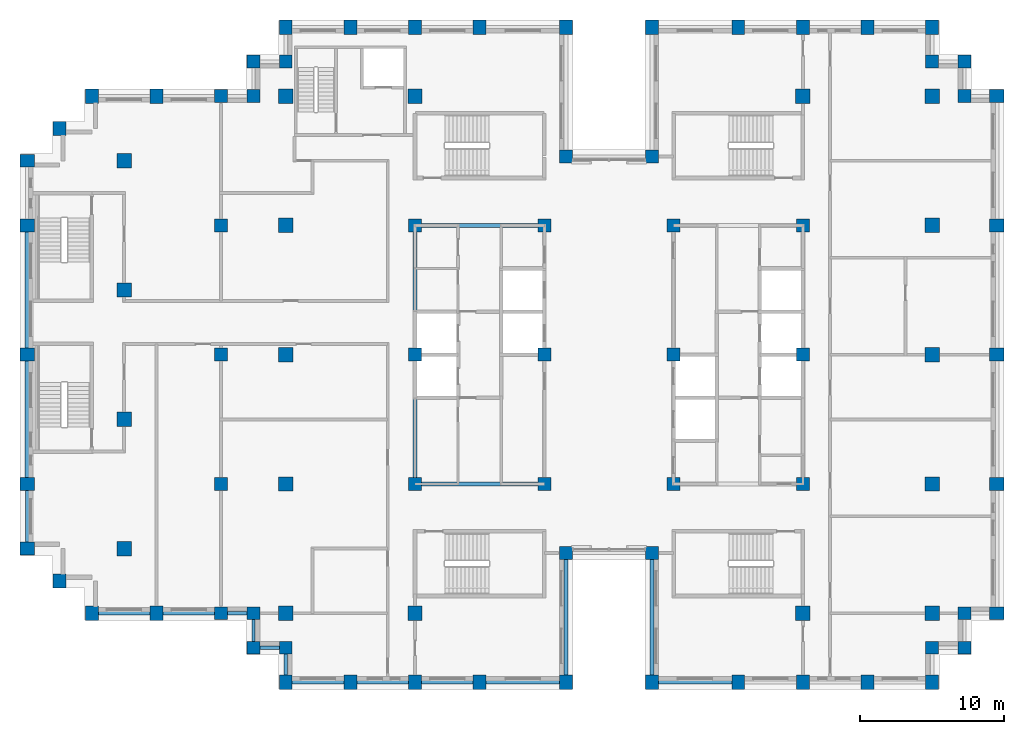
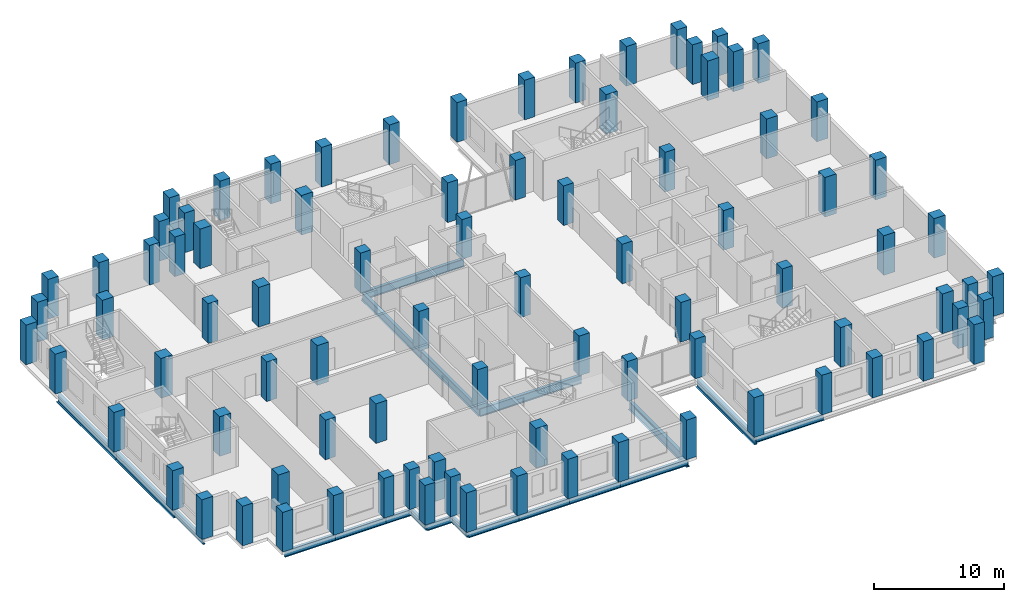
# One storey, part 1 of 15: 87 columns, 20 beams.
"""IFC4 building model written with IfcOpenShell, lengths in metres."""

from ifc_helpers import new_model, si_unit, direction, frame, origin, origin_2d, place, context, subcontext, project, spatial, rectangle, i_section, extrude, material, material_profile, profile_set, type_object, element, save


model = new_model("IFC4")

# Units and contexts
model_context = context("Model", 3, precision=1e-05, world=origin(), true_north=direction((0.0, 1.0)))
body_context = subcontext(model_context, "Body", "Model", "MODEL_VIEW")
ifc_project = project(units=[si_unit("LENGTHUNIT", "METRE"), si_unit("AREAUNIT", "SQUARE_METRE"), si_unit("VOLUMEUNIT", "CUBIC_METRE"), si_unit("PLANEANGLEUNIT", "RADIAN"), si_unit("MASSUNIT", "GRAM", prefix="KILO")], contexts=[model_context])

# Site, building, storey
site_placement = place(None, origin())
site = spatial("IfcSite", under=ifc_project, at=site_placement, CompositionType="ELEMENT")
building_placement = place(site_placement, origin())
building = spatial("IfcBuilding", under=site, at=building_placement, Name="Corbelhall Arena Tower", CompositionType="ELEMENT")
storey_placement = place(building_placement, frame((0.0, 0.0, 228.0)))
storey = spatial("IfcBuildingStorey", under=building, at=storey_placement, Name="L48", CompositionType="ELEMENT", Elevation=228.0)

# Columns
ifc_material_1 = material(Name="Concrete C80/95", Category="concrete")
ifc_material_profile_1 = material_profile(ifc_material_1, rectangle(XDim=1.0, YDim=1.0, at=origin_2d()))
ifc_profile_set_1 = profile_set([ifc_material_profile_1], Name="Concrete C80/95")
column_type_1 = type_object("IfcColumnType", Name="ST-COL-RC 1000x1000", PredefinedType="COLUMN", material=ifc_profile_set_1)
for number, where, z_axis, x_axis, name in (
    (1, (-33.75, 4.5, 0.0), (0.0, 0.0, 1.0), (1.0, 0.0, 0.0), "Column FIC+0450"),
    (2, (-33.75, 13.5, 0.0), (0.0, 0.0, 1.0), (1.0, 0.0, 0.0), "Column FIC+1350"),
    (3, (-33.75, -4.5, 0.0), (0.0, 0.0, 1.0), (1.0, 0.0, 0.0), "Column FIC-0450"),
    (4, (-33.75, -13.5, 0.0), (0.0, 0.0, 1.0), (1.0, 0.0, 0.0), "Column FIC-1350"),
    (5, (13.5, 18.0, 0.0), (0.0, 0.0, 1.0), (1.0, 0.0, 0.0), "Column IE13+1800"),
    (6, (13.5, -18.0, 0.0), (0.0, 0.0, 1.0), (1.0, 0.0, 0.0), "Column IE13-1800"),
    (7, (22.5, 0.0, 0.0), (0.0, 0.0, 1.0), (1.0, 0.0, 0.0), "Column IE22+0000"),
    (8, (22.5, 9.0, 0.0), (0.0, 0.0, 1.0), (1.0, 0.0, 0.0), "Column IE22+0900"),
    (9, (22.5, 18.0, 0.0), (0.0, 0.0, 1.0), (1.0, 0.0, 0.0), "Column IE22+1800"),
    (10, (22.5, -9.0, 0.0), (0.0, 0.0, 1.0), (1.0, 0.0, 0.0), "Column IE22-0900"),
    (11, (22.5, -18.0, 0.0), (0.0, 0.0, 1.0), (1.0, 0.0, 0.0), "Column IE22-1800"),
    (12, (-13.5, 18.0, 0.0), (0.0, 0.0, 1.0), (1.0, 0.0, 0.0), "Column IW13+1800"),
    (13, (-13.5, -18.0, 0.0), (0.0, 0.0, 1.0), (1.0, 0.0, 0.0), "Column IW13-1800"),
    (14, (-22.5, 0.0, 0.0), (0.0, 0.0, 1.0), (1.0, 0.0, 0.0), "Column IW22+0000"),
    (15, (-22.5, 9.0, 0.0), (0.0, 0.0, 1.0), (1.0, 0.0, 0.0), "Column IW22+0900"),
    (16, (-22.5, 18.0, 0.0), (0.0, 0.0, 1.0), (1.0, 0.0, 0.0), "Column IW22+1800"),
    (17, (-22.5, -9.0, 0.0), (0.0, 0.0, 1.0), (1.0, 0.0, 0.0), "Column IW22-0900"),
    (18, (-22.5, -18.0, 0.0), (0.0, 0.0, 1.0), (1.0, 0.0, 0.0), "Column IW22-1800"),
):
    element("IfcColumn", number, at=place(storey_placement, frame(where, z_axis=z_axis, x_axis=x_axis)), inside=storey, type_object=column_type_1, Name=name, PredefinedType="COLUMN", context=body_context, shape_type="SweptSolid", body=[
        extrude(rectangle(XDim=1.0, YDim=1.0, at=origin_2d()), origin(), (0.0, 0.0, 1.0), 3.719970703125),
    ])
ifc_material_profile_2 = material_profile(ifc_material_1, rectangle(XDim=0.89990234375, YDim=1.0, at=origin_2d()))
ifc_profile_set_2 = profile_set([ifc_material_profile_2], Name="Concrete C80/95")
column_type_2 = type_object("IfcColumnType", Name="ST-COL-RC 900x1000", PredefinedType="COLUMN", material=ifc_profile_set_2)
for number, where, z_axis, x_axis, name in (
    (19, (-40.5, 0.0, 0.0), (0.0, 0.0, 1.0), (0.0, 1.0, 0.0), "Column FC+0000"),
    (20, (-40.5, 9.0, 0.0), (0.0, 0.0, 1.0), (0.0, 1.0, 0.0), "Column FC+0900"),
    (21, (-40.5, 13.5, 0.0), (0.0, 0.0, 1.0), (0.0, 1.0, 0.0), "Column FC+1350"),
    (22, (-40.5, -9.0, 0.0), (0.0, 0.0, 1.0), (0.0, 1.0, 0.0), "Column FC-0900"),
    (23, (-40.5, -13.5, 0.0), (0.0, 0.0, 1.0), (0.0, 1.0, 0.0), "Column FC-1350"),
    (24, (-38.25, 15.75, 0.0), (0.0, 0.0, 1.0), (1.0, 0.0, 0.0), "Column FCCN"),
    (25, (-38.25, -15.75, 0.0), (0.0, 0.0, 1.0), (1.0, 0.0, 0.0), "Column FCCS"),
    (26, (-31.5, 18.0, 0.0), (0.0, 0.0, 1.0), (1.0, 0.0, 0.0), "Column FCN3150"),
    (27, (-36.0, 18.0, 0.0), (0.0, 0.0, 1.0), (1.0, 0.0, 0.0), "Column FCN3600"),
    (28, (-31.5, -18.0, 0.0), (0.0, 0.0, 1.0), (1.0, 0.0, 0.0), "Column FCS3150"),
    (29, (-36.0, -18.0, 0.0), (0.0, 0.0, 1.0), (1.0, 0.0, 0.0), "Column FCS3600"),
    (30, (27.0, 0.0, 0.0), (0.0, 0.0, 1.0), (0.0, 1.0, 0.0), "Column PE+0000"),
    (31, (27.0, 9.0, 0.0), (0.0, 0.0, 1.0), (0.0, 1.0, 0.0), "Column PE+0900"),
    (32, (27.0, 18.0, 0.0), (0.0, 0.0, 1.0), (0.0, 1.0, 0.0), "Column PE+1800"),
    (33, (27.0, -9.0, 0.0), (0.0, 0.0, 1.0), (0.0, 1.0, 0.0), "Column PE-0900"),
    (34, (27.0, -18.0, 0.0), (0.0, 0.0, 1.0), (0.0, 1.0, 0.0), "Column PE-1800"),
    (35, (3.0, 22.800048828125, 0.0), (0.0, 0.0, 1.0), (1.0, 0.0, 0.0), "Column PNE0300"),
    (36, (9.0, 22.800048828125, 0.0), (0.0, 0.0, 1.0), (1.0, 0.0, 0.0), "Column PNE0900"),
    (37, (13.5, 22.800048828125, 0.0), (0.0, 0.0, 1.0), (1.0, 0.0, 0.0), "Column PNE1350"),
    (38, (18.0, 22.800048828125, 0.0), (0.0, 0.0, 1.0), (1.0, 0.0, 0.0), "Column PNE1800"),
    (39, (22.5, 22.800048828125, 0.0), (0.0, 0.0, 1.0), (1.0, 0.0, 0.0), "Column PNE2250"),
    (40, (-3.0, 22.800048828125, 0.0), (0.0, 0.0, 1.0), (1.0, 0.0, 0.0), "Column PNW0300"),
    (41, (-9.0, 22.800048828125, 0.0), (0.0, 0.0, 1.0), (1.0, 0.0, 0.0), "Column PNW0900"),
    (42, (-13.5, 22.800048828125, 0.0), (0.0, 0.0, 1.0), (1.0, 0.0, 0.0), "Column PNW1350"),
    (43, (-18.0, 22.800048828125, 0.0), (0.0, 0.0, 1.0), (1.0, 0.0, 0.0), "Column PNW1800"),
    (44, (-22.5, 22.800048828125, 0.0), (0.0, 0.0, 1.0), (1.0, 0.0, 0.0), "Column PNW2250"),
    (45, (3.0, -22.800048828125, 0.0), (0.0, 0.0, 1.0), (1.0, 0.0, 0.0), "Column PSE0300"),
    (46, (9.0, -22.800048828125, 0.0), (0.0, 0.0, 1.0), (1.0, 0.0, 0.0), "Column PSE0900"),
    (47, (13.5, -22.800048828125, 0.0), (0.0, 0.0, 1.0), (1.0, 0.0, 0.0), "Column PSE1350"),
    (48, (18.0, -22.800048828125, 0.0), (0.0, 0.0, 1.0), (1.0, 0.0, 0.0), "Column PSE1800"),
    (49, (22.5, -22.800048828125, 0.0), (0.0, 0.0, 1.0), (1.0, 0.0, 0.0), "Column PSE2250"),
    (50, (-3.0, -22.800048828125, 0.0), (0.0, 0.0, 1.0), (1.0, 0.0, 0.0), "Column PSW0300"),
    (51, (-9.0, -22.800048828125, 0.0), (0.0, 0.0, 1.0), (1.0, 0.0, 0.0), "Column PSW0900"),
    (52, (-13.5, -22.800048828125, 0.0), (0.0, 0.0, 1.0), (1.0, 0.0, 0.0), "Column PSW1350"),
    (53, (-18.0, -22.800048828125, 0.0), (0.0, 0.0, 1.0), (1.0, 0.0, 0.0), "Column PSW1800"),
    (54, (-22.5, -22.800048828125, 0.0), (0.0, 0.0, 1.0), (1.0, 0.0, 0.0), "Column PSW2250"),
):
    element("IfcColumn", number, at=place(storey_placement, frame(where, z_axis=z_axis, x_axis=x_axis)), inside=storey, type_object=column_type_2, Name=name, PredefinedType="COLUMN", context=body_context, shape_type="SweptSolid", body=[
        extrude(rectangle(XDim=0.89990234375, YDim=1.0, at=origin_2d()), origin(), (0.0, 0.0, 1.0), 3.719970703125),
    ])
ifc_material_profile_3 = material_profile(ifc_material_1, rectangle(XDim=0.89990234375, YDim=0.89990234375, at=origin_2d()))
ifc_profile_set_3 = profile_set([ifc_material_profile_3], Name="Concrete C80/95")
column_type_3 = type_object("IfcColumnType", Name="ST-COL-RC 900x900", PredefinedType="COLUMN", material=ifc_profile_set_3)
for number, where, z_axis, x_axis, name in (
    (55, (4.5, 0.0, 0.0), (0.0, 0.0, 1.0), (1.0, 0.0, 0.0), "Column KE+0450+0000"),
    (56, (4.5, 9.0, 0.0), (0.0, 0.0, 1.0), (1.0, 0.0, 0.0), "Column KE+0450+0900"),
    (57, (4.5, -9.0, 0.0), (0.0, 0.0, 1.0), (1.0, 0.0, 0.0), "Column KE+0450-0900"),
    (58, (13.5, 0.0, 0.0), (0.0, 0.0, 1.0), (1.0, 0.0, 0.0), "Column KE+1350+0000"),
    (59, (13.5, 9.0, 0.0), (0.0, 0.0, 1.0), (1.0, 0.0, 0.0), "Column KE+1350+0900"),
    (60, (13.5, -9.0, 0.0), (0.0, 0.0, 1.0), (1.0, 0.0, 0.0), "Column KE+1350-0900"),
    (61, (-4.5, 0.0, 0.0), (0.0, 0.0, 1.0), (1.0, 0.0, 0.0), "Column KW-0450+0000"),
    (62, (-4.5, 9.0, 0.0), (0.0, 0.0, 1.0), (1.0, 0.0, 0.0), "Column KW-0450+0900"),
    (63, (-4.5, -9.0, 0.0), (0.0, 0.0, 1.0), (1.0, 0.0, 0.0), "Column KW-0450-0900"),
    (64, (-13.5, 0.0, 0.0), (0.0, 0.0, 1.0), (1.0, 0.0, 0.0), "Column KW-1350+0000"),
    (65, (-13.5, 9.0, 0.0), (0.0, 0.0, 1.0), (1.0, 0.0, 0.0), "Column KW-1350+0900"),
    (66, (-13.5, -9.0, 0.0), (0.0, 0.0, 1.0), (1.0, 0.0, 0.0), "Column KW-1350-0900"),
    (67, (-27.0, 0.0, 0.0), (0.0, 0.0, 1.0), (1.0, 0.0, 0.0), "Column PW+0000"),
    (68, (-27.0, 9.0, 0.0), (0.0, 0.0, 1.0), (1.0, 0.0, 0.0), "Column PW+0900"),
    (69, (-27.0, 18.0, 0.0), (0.0, 0.0, 1.0), (1.0, 0.0, 0.0), "Column PW+1800"),
    (70, (-27.0, -9.0, 0.0), (0.0, 0.0, 1.0), (1.0, 0.0, 0.0), "Column PW-0900"),
    (71, (-27.0, -18.0, 0.0), (0.0, 0.0, 1.0), (1.0, 0.0, 0.0), "Column PW-1800"),
    (72, (3.0, 13.800048828125, 0.0), (0.0, 0.0, 1.0), (1.0, 0.0, 0.0), "Column SLNE2"),
    (73, (-3.0, 13.800048828125, 0.0), (0.0, 0.0, 1.0), (1.0, 0.0, 0.0), "Column SLNW2"),
    (74, (3.0, -13.800048828125, 0.0), (0.0, 0.0, 1.0), (1.0, 0.0, 0.0), "Column SLSE2"),
    (75, (-3.0, -13.800048828125, 0.0), (0.0, 0.0, 1.0), (1.0, 0.0, 0.0), "Column SLSW2"),
    (76, (22.5, 20.39990234375, 0.0), (0.0, 0.0, 1.0), (1.0, 0.0, 0.0), "Column XNE1"),
    (77, (24.75, 20.39990234375, 0.0), (0.0, 0.0, 1.0), (1.0, 0.0, 0.0), "Column XNE2"),
    (78, (24.75, 18.0, 0.0), (0.0, 0.0, 1.0), (1.0, 0.0, 0.0), "Column XNE3"),
    (79, (-22.5, 20.39990234375, 0.0), (0.0, 0.0, 1.0), (1.0, 0.0, 0.0), "Column XNW1"),
    (80, (-24.75, 20.39990234375, 0.0), (0.0, 0.0, 1.0), (1.0, 0.0, 0.0), "Column XNW2"),
    (81, (-24.75, 18.0, 0.0), (0.0, 0.0, 1.0), (1.0, 0.0, 0.0), "Column XNW3"),
    (82, (22.5, -20.39990234375, 0.0), (0.0, 0.0, 1.0), (1.0, 0.0, 0.0), "Column XSE1"),
    (83, (24.75, -20.39990234375, 0.0), (0.0, 0.0, 1.0), (1.0, 0.0, 0.0), "Column XSE2"),
    (84, (24.75, -18.0, 0.0), (0.0, 0.0, 1.0), (1.0, 0.0, 0.0), "Column XSE3"),
    (85, (-22.5, -20.39990234375, 0.0), (0.0, 0.0, 1.0), (1.0, 0.0, 0.0), "Column XSW1"),
    (86, (-24.75, -20.39990234375, 0.0), (0.0, 0.0, 1.0), (1.0, 0.0, 0.0), "Column XSW2"),
    (87, (-24.75, -18.0, 0.0), (0.0, 0.0, 1.0), (1.0, 0.0, 0.0), "Column XSW3"),
):
    element("IfcColumn", number, at=place(storey_placement, frame(where, z_axis=z_axis, x_axis=x_axis)), inside=storey, type_object=column_type_3, Name=name, PredefinedType="COLUMN", context=body_context, shape_type="SweptSolid", body=[
        extrude(rectangle(XDim=0.89990234375, YDim=0.89990234375, at=origin_2d()), origin(), (0.0, 0.0, 1.0), 3.719970703125),
    ])

# Beams
ifc_material_2 = material(Name="Steel ASTM A992 Gr50", Category="steel")
ifc_material_profile_4 = material_profile(ifc_material_2, i_section(OverallWidth=0.2666015625, OverallDepth=0.761962890625, WebThickness=0.014404296875, FlangeThickness=0.021484375, at=origin_2d()))
ifc_profile_set_4 = profile_set([ifc_material_profile_4], Name="Steel ASTM A992 Gr50")
beam_type_1 = type_object("IfcBeamType", Name="ST-BEAM-W30x116", PredefinedType="BEAM", material=ifc_profile_set_4)
for number, where, z_axis, x_axis, name in (
    (88, (-13.5, -9.0, -0.660888671875), (0.0, 1.0, 0.0), (-1.0, 0.0, 0.0), "Beam CEW 1"),
    (89, (-13.5, 0.0, -0.660888671875), (0.0, 1.0, 0.0), (-1.0, 0.0, 0.0), "Beam CEW 2"),
    (90, (-13.5, -9.0, -0.660888671875), (1.0, 0.0, 0.0), (0.0, 1.0, 0.0), "Beam CEW 5"),
    (91, (-13.5, 9.0, -0.660888671875), (1.0, 0.0, 0.0), (0.0, 1.0, 0.0), "Beam CEW 6"),
):
    element("IfcBeam", number, at=place(storey_placement, frame(where, z_axis=z_axis, x_axis=x_axis)), inside=storey, type_object=beam_type_1, Name=name, PredefinedType="BEAM", context=body_context, shape_type="SweptSolid", body=[
        extrude(i_section(OverallWidth=0.2666015625, OverallDepth=0.761962890625, WebThickness=0.014404296875, FlangeThickness=0.021484375, at=origin_2d()), origin(), (0.0, 0.0, 1.0), 9.0),
    ])
ifc_material_profile_5 = material_profile(ifc_material_2, i_section(OverallWidth=0.228271484375, OverallDepth=0.607177734375, WebThickness=0.01123046875, FlangeThickness=0.017333984375, at=origin_2d()))
ifc_profile_set_5 = profile_set([ifc_material_profile_5], Name="Steel ASTM A992 Gr50")
beam_type_2 = type_object("IfcBeamType", Name="ST-SPANDREL-W24x76", PredefinedType="SPANDREL", material=ifc_profile_set_5)
for number, where, z_axis, x_axis, name in (
    (92, (-40.5, -13.5, -0.58349609375), (0.0, 1.0, 0.0), (-1.0, 0.0, 0.0), "Beam SP 4"),
    (93, (-31.5, -18.0, -0.58349609375), (-1.0, 0.0, 0.0), (0.0, -1.0, 0.0), "Beam SP 7"),
):
    element("IfcBeam", number, at=place(storey_placement, frame(where, z_axis=z_axis, x_axis=x_axis)), inside=storey, type_object=beam_type_2, Name=name, PredefinedType="SPANDREL", context=body_context, shape_type="SweptSolid", body=[
        extrude(i_section(OverallWidth=0.228271484375, OverallDepth=0.607177734375, WebThickness=0.01123046875, FlangeThickness=0.017333984375, at=origin_2d()), origin(), (0.0, 0.0, 1.0), 4.5),
    ])
for number, where, z_axis, x_axis, name in (
    (94, (9.0, -22.800048828125, -0.58349609375), (-1.0, 0.0, 0.0), (0.0, -1.0, 0.0), "Beam SP 24"),
    (95, (-3.0, -22.800048828125, -0.58349609375), (-1.0, 0.0, 0.0), (0.0, -1.0, 0.0), "Beam SP 28"),
):
    element("IfcBeam", number, at=place(storey_placement, frame(where, z_axis=z_axis, x_axis=x_axis)), inside=storey, type_object=beam_type_2, Name=name, PredefinedType="SPANDREL", context=body_context, shape_type="SweptSolid", body=[
        extrude(i_section(OverallWidth=0.228271484375, OverallDepth=0.607177734375, WebThickness=0.01123046875, FlangeThickness=0.017333984375, at=origin_2d()), origin(), (0.0, 0.0, 1.0), 6.0),
    ])
for number, where, z_axis, x_axis, name in (
    (96, (-9.0, -22.800048828125, -0.58349609375), (-1.0, 0.0, 0.0), (0.0, -1.0, 0.0), "Beam SP 29"),
    (97, (-13.5, -22.800048828125, -0.58349609375), (-1.0, 0.0, 0.0), (0.0, -1.0, 0.0), "Beam SP 30"),
    (98, (-18.0, -22.800048828125, -0.58349609375), (-1.0, 0.0, 0.0), (0.0, -1.0, 0.0), "Beam SP 31"),
):
    element("IfcBeam", number, at=place(storey_placement, frame(where, z_axis=z_axis, x_axis=x_axis)), inside=storey, type_object=beam_type_2, Name=name, PredefinedType="SPANDREL", context=body_context, shape_type="SweptSolid", body=[
        extrude(i_section(OverallWidth=0.228271484375, OverallDepth=0.607177734375, WebThickness=0.01123046875, FlangeThickness=0.017333984375, at=origin_2d()), origin(), (0.0, 0.0, 1.0), 4.5),
    ])
beam_1_placement = place(storey_placement, frame((-22.5, -22.800048828125, -0.58349609375), z_axis=(0.0, 1.0, 0.0), x_axis=(-1.0, 0.0, 0.0)))
element("IfcBeam", 99, at=beam_1_placement, inside=storey, type_object=beam_type_2, Name="Beam SP 32", PredefinedType="SPANDREL", context=body_context, shape_type="SweptSolid", body=[
    extrude(i_section(OverallWidth=0.228271484375, OverallDepth=0.607177734375, WebThickness=0.01123046875, FlangeThickness=0.017333984375, at=origin_2d()), origin(), (0.0, 0.0, 1.0), 2.400146484375),
])
beam_2_placement = place(storey_placement, frame((-27.0, -18.0, -0.58349609375), z_axis=(-1.0, 0.0, 0.0), x_axis=(0.0, -1.0, 0.0)))
element("IfcBeam", 100, at=beam_2_placement, inside=storey, type_object=beam_type_2, Name="Beam SP 34", PredefinedType="SPANDREL", context=body_context, shape_type="SweptSolid", body=[
    extrude(i_section(OverallWidth=0.228271484375, OverallDepth=0.607177734375, WebThickness=0.01123046875, FlangeThickness=0.017333984375, at=origin_2d()), origin(), (0.0, 0.0, 1.0), 4.5),
])
beam_3_placement = place(storey_placement, frame((-22.5, -20.39990234375, -0.58349609375), z_axis=(-1.0, 0.0, 0.0), x_axis=(0.0, -1.0, 0.0)))
element("IfcBeam", 101, at=beam_3_placement, inside=storey, type_object=beam_type_2, Name="Beam SP 48", PredefinedType="SPANDREL", context=body_context, shape_type="SweptSolid", body=[
    extrude(i_section(OverallWidth=0.228271484375, OverallDepth=0.607177734375, WebThickness=0.01123046875, FlangeThickness=0.017333984375, at=origin_2d()), origin(), (0.0, 0.0, 1.0), 2.25),
])
beam_4_placement = place(storey_placement, frame((-24.75, -20.39990234375, -0.58349609375), z_axis=(0.0, 1.0, 0.0), x_axis=(-1.0, 0.0, 0.0)))
element("IfcBeam", 102, at=beam_4_placement, inside=storey, type_object=beam_type_2, Name="Beam SP 49", PredefinedType="SPANDREL", context=body_context, shape_type="SweptSolid", body=[
    extrude(i_section(OverallWidth=0.228271484375, OverallDepth=0.607177734375, WebThickness=0.01123046875, FlangeThickness=0.017333984375, at=origin_2d()), origin(), (0.0, 0.0, 1.0), 2.39990234375),
])
beam_5_placement = place(storey_placement, frame((-24.75, -18.0, -0.58349609375), z_axis=(-1.0, 0.0, 0.0), x_axis=(0.0, -1.0, 0.0)))
element("IfcBeam", 103, at=beam_5_placement, inside=storey, type_object=beam_type_2, Name="Beam SP 50", PredefinedType="SPANDREL", context=body_context, shape_type="SweptSolid", body=[
    extrude(i_section(OverallWidth=0.228271484375, OverallDepth=0.607177734375, WebThickness=0.01123046875, FlangeThickness=0.017333984375, at=origin_2d()), origin(), (0.0, 0.0, 1.0), 2.25),
])
ifc_material_profile_6 = material_profile(ifc_material_2, i_section(OverallWidth=0.2919921875, OverallDepth=0.845703125, WebThickness=0.015380859375, FlangeThickness=0.0244140625, at=origin_2d()))
ifc_profile_set_6 = profile_set([ifc_material_profile_6], Name="Steel ASTM A992 Gr50")
beam_type_3 = type_object("IfcBeamType", Name="ST-SPANDREL-W33x141", PredefinedType="SPANDREL", material=ifc_profile_set_6)
for number, where, z_axis, x_axis, name in (
    (104, (-40.5, 0.0, -0.702880859375), (0.0, 1.0, 0.0), (-1.0, 0.0, 0.0), "Beam SP 1"),
    (105, (-40.5, -9.0, -0.702880859375), (0.0, 1.0, 0.0), (-1.0, 0.0, 0.0), "Beam SP 3"),
    (106, (3.0, -22.800048828125, -0.702880859375), (0.0, 1.0, 0.0), (-1.0, 0.0, 0.0), "Beam SP 23"),
    (107, (-3.0, -13.800048828125, -0.702880859375), (0.0, -1.0, 0.0), (1.0, 0.0, 0.0), "Beam SP 38"),
):
    element("IfcBeam", number, at=place(storey_placement, frame(where, z_axis=z_axis, x_axis=x_axis)), inside=storey, type_object=beam_type_3, Name=name, PredefinedType="SPANDREL", context=body_context, shape_type="SweptSolid", body=[
        extrude(i_section(OverallWidth=0.2919921875, OverallDepth=0.845703125, WebThickness=0.015380859375, FlangeThickness=0.0244140625, at=origin_2d()), origin(), (0.0, 0.0, 1.0), 9.0),
    ])

save(model, "model.ifc")
